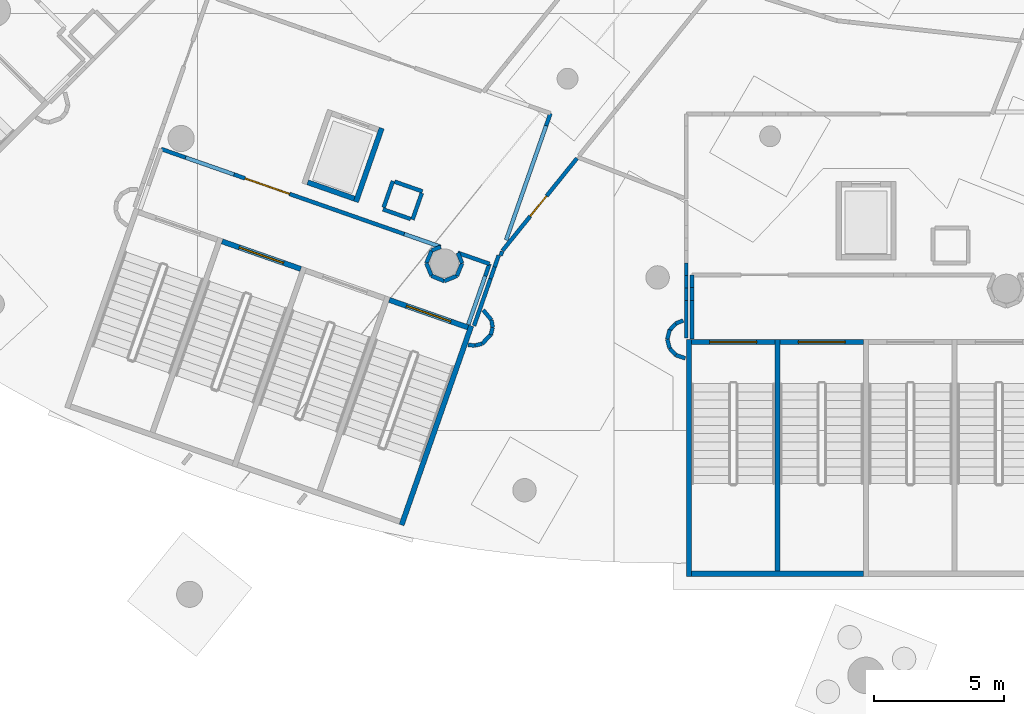
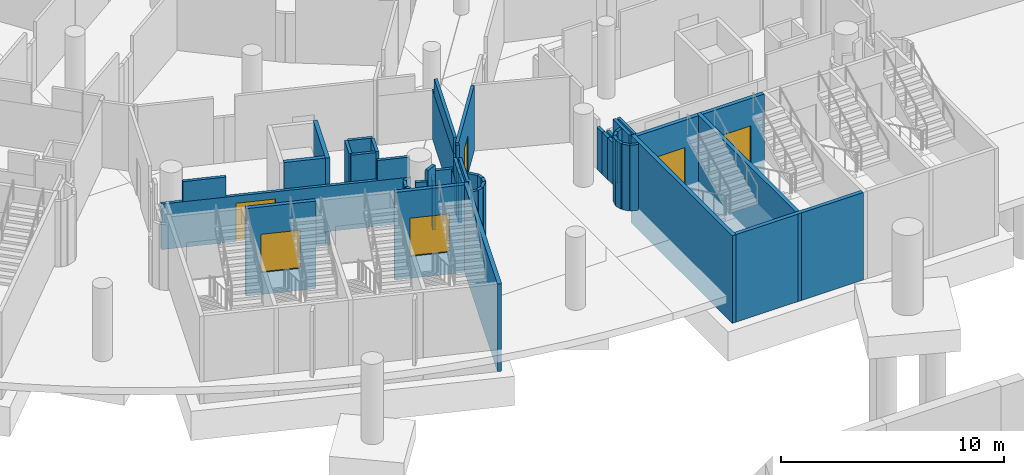
# One storey, part 38 of 142: 53 walls, 6 doors, 6 openings.
"""IFC4 building model written with IfcOpenShell, lengths in metres."""

from ifc_helpers import new_model, si_unit, direction, frame, frame_2d, origin, place, context, subcontext, project, spatial, rectangle, extrude, material, layer, layer_set, type_object, element, fill, save


model = new_model("IFC4")

# Units and contexts
model_context = context("Model", 3, precision=1e-05, world=origin(), true_north=direction((0.0, 1.0)))
body_context = subcontext(model_context, "Body", "Model", "MODEL_VIEW")
ifc_project = project(units=[si_unit("LENGTHUNIT", "METRE"), si_unit("AREAUNIT", "SQUARE_METRE"), si_unit("VOLUMEUNIT", "CUBIC_METRE"), si_unit("PLANEANGLEUNIT", "RADIAN"), si_unit("MASSUNIT", "GRAM", prefix="KILO")], contexts=[model_context])

# Site, building, storey
site_placement = place(None, origin())
site = spatial("IfcSite", under=ifc_project, at=site_placement, CompositionType="ELEMENT")
building_placement = place(site_placement, origin())
building = spatial("IfcBuilding", under=site, at=building_placement, Name="Meseta Stadium", CompositionType="ELEMENT")
storey_placement = place(building_placement, frame((0.0, 0.0, -4.0)))
storey = spatial("IfcBuildingStorey", under=building, at=storey_placement, Name="B1", CompositionType="ELEMENT", Elevation=-4.0)

# Walls
ifc_material_1 = material(Name="Concrete C40/50", Category="concrete")
ifc_layer_1 = layer(ifc_material_1, 0.199951171875)
ifc_layer_set_1 = layer_set([ifc_layer_1], Name="Core divider wall 200")
wall_type_1 = type_object("IfcWallType", Name="Core divider wall 200", PredefinedType="SHEAR", material=ifc_layer_set_1)
wall_1_placement = place(storey_placement, frame((-41.7333984375, -101.60009765625, -1.199951171875), z_axis=(0.0, 0.0, 1.0), x_axis=(0.0, 1.0, 0.0)))
element("IfcWall", 1, at=wall_1_placement, inside=storey, type_object=wall_type_1, Name="Core 23 B1 stair A divider wall", PredefinedType="SHEAR", context=body_context, shape_type="SweptSolid", body=[
    extrude(rectangle(XDim=9.10009765625, YDim=0.199951171875, at=frame_2d((4.550048828125, 0.0))), origin(), (0.0, 0.0, 1.0), 4.800048828125),
])
ifc_material_2 = material(Name="Concrete C40/50", Category="concrete")
ifc_layer_2 = layer(ifc_material_2, 0.199951171875)
ifc_layer_set_2 = layer_set([ifc_layer_2], Name="Core shaft wall 200")
wall_type_2 = type_object("IfcWallType", Name="Core shaft wall 200", PredefinedType="SHEAR", material=ifc_layer_set_2)
wall_2_placement = place(storey_placement, frame((-56.16162109375, -99.62890625, -1.199951171875), z_axis=(0.0, 0.0, 1.0), x_axis=(0.330280610426, 0.943882788474, 0.0)))
element("IfcWall", 2, at=wall_2_placement, inside=storey, type_object=wall_type_2, Name="Core 22 B1 stair wall B-side", PredefinedType="SHEAR", context=body_context, shape_type="SweptSolid", body=[
    extrude(rectangle(XDim=8.10009765625, YDim=0.199951171875, at=frame_2d((4.050048828125, 0.0))), origin(), (0.0, 0.0, 1.0), 4.800048828125),
])

# Wall, opening, door
wall_3_placement = place(storey_placement, frame((-63.052490234375, -88.741943359375, -1.199951171875), z_axis=(0.0, 0.0, 1.0), x_axis=(0.943878576031, -0.330292648585, 0.0)))
wall_3 = element("IfcWall", 3, at=wall_3_placement, inside=storey, type_object=wall_type_2, Name="Core 22 B1 stair A2 inner end wall", PredefinedType="SHEAR", context=body_context, shape_type="SweptSolid", body=[
    extrude(rectangle(XDim=3.199951171875, YDim=0.199951171875, at=frame_2d((1.60009765625, 0.0))), origin(), (0.0, 0.0, 1.0), 4.800048828125),
])
opening_1_placement = place(wall_3_placement, frame((0.699951171875, 0.0, 1.199951171875)))
opening_1 = element("IfcOpeningElement", 4, at=opening_1_placement, cuts=wall_3, Name="Opening D294", PredefinedType="OPENING", context=body_context, shape_type="SweptSolid", body=[
    extrude(rectangle(XDim=1.800048828125, YDim=2.10009765625, at=frame_2d((0.89990234375, 1.050048828125))), frame((0.0, 0.10986328125, 0.0), z_axis=(0.0, -1.0, 0.0), x_axis=(1.0, 0.0, 0.0)), (0.0, 0.0, 1.0), 0.219970703125),
])
ifc_material_3 = material(Name="Steel", Category="steel")
door_type_1 = type_object("IfcDoorType", Name="Stair door 1800x2100", OperationType="DOUBLE_DOOR_SINGLE_SWING", PredefinedType="DOOR", material=ifc_material_3)
door_1_placement = place(opening_1_placement, origin())
door_1 = element("IfcDoor", 5, at=door_1_placement, inside=storey, type_object=door_type_1, Name="Stair A2 door 22 B1", OperationType="DOUBLE_DOOR_SINGLE_SWING", OverallHeight=2.10009765625, OverallWidth=1.800048828125, PredefinedType="DOOR", context=body_context, shape_type="SweptSolid", body=[
    extrude(rectangle(XDim=1.800048828125, YDim=2.10009765625, at=frame_2d((0.89990234375, 1.050048828125))), frame((0.0, 0.02490234375, 0.0), z_axis=(0.0, -1.0, 0.0), x_axis=(1.0, 0.0, 0.0)), (0.0, 0.0, 1.0), 0.050048828125),
])
fill(opening_1, door_1)

wall_4_placement = place(storey_placement, frame((-56.63427734375, -90.98779296875, -1.199951171875), z_axis=(0.0, 0.0, 1.0), x_axis=(0.943886898693, -0.330268863922, 0.0)))
wall_4 = element("IfcWall", 6, at=wall_4_placement, inside=storey, type_object=wall_type_2, Name="Core 22 B1 stair B2 inner end wall", PredefinedType="SHEAR", context=body_context, shape_type="SweptSolid", body=[
    extrude(rectangle(XDim=3.2001953125, YDim=0.199951171875, at=frame_2d((1.60009765625, 0.0))), origin(), (0.0, 0.0, 1.0), 4.800048828125),
])
opening_2_placement = place(wall_4_placement, frame((0.699951171875, 0.0, 1.199951171875)))
opening_2 = element("IfcOpeningElement", 7, at=opening_2_placement, cuts=wall_4, Name="Opening D296", PredefinedType="OPENING", context=body_context, shape_type="SweptSolid", body=[
    extrude(rectangle(XDim=1.800048828125, YDim=2.10009765625, at=frame_2d((0.89990234375, 1.050048828125))), frame((0.0, 0.10986328125, 0.0), z_axis=(0.0, -1.0, 0.0), x_axis=(1.0, 0.0, 0.0)), (0.0, 0.0, 1.0), 0.219970703125),
])
door_2_placement = place(opening_2_placement, origin())
door_2 = element("IfcDoor", 8, at=door_2_placement, inside=storey, type_object=door_type_1, Name="Stair B2 door 22 B1", OperationType="DOUBLE_DOOR_SINGLE_SWING", OverallHeight=2.10009765625, OverallWidth=1.800048828125, PredefinedType="DOOR", context=body_context, shape_type="SweptSolid", body=[
    extrude(rectangle(XDim=1.800048828125, YDim=2.10009765625, at=frame_2d((0.89990234375, 1.050048828125))), frame((0.0, 0.02490234375, 0.0), z_axis=(0.0, -1.0, 0.0), x_axis=(1.0, 0.0, 0.0)), (0.0, 0.0, 1.0), 0.050048828125),
])
fill(opening_2, door_2)

# Walls
wall_5_placement = place(storey_placement, frame((-57.9140625, -87.227294921875, -1.199951171875), z_axis=(0.0, 0.0, 1.0), x_axis=(0.330328674497, 0.943865968666, 0.0)))
element("IfcWall", 9, at=wall_5_placement, inside=storey, type_object=wall_type_2, Name="Core 22 B1 lift shaft wall right", PredefinedType="SHEAR", context=body_context, shape_type="SweptSolid", body=[
    extrude(rectangle(XDim=3.0, YDim=0.199951171875, at=frame_2d((1.5, 0.0))), origin(), (0.0, 0.0, 1.0), 4.800048828125),
])
wall_6_placement = place(storey_placement, frame((-59.768798828125, -86.472412109375, -1.199951171875), z_axis=(0.0, 0.0, 1.0), x_axis=(0.943862362559, -0.330338978239, 0.0)))
element("IfcWall", 10, at=wall_6_placement, inside=storey, type_object=wall_type_2, Name="Core 22 B1 lift shaft back wall", PredefinedType="SHEAR", context=body_context, shape_type="SweptSolid", body=[
    extrude(rectangle(XDim=1.900146484375, YDim=0.199951171875, at=frame_2d((0.9501953125, 0.0))), origin(), (0.0, 0.0, 1.0), 4.800048828125),
])
wall_7_placement = place(storey_placement, frame((-45.13330078125, -101.60009765625, -1.199951171875), z_axis=(0.0, 0.0, 1.0), x_axis=(0.0, 1.0, 0.0)))
element("IfcWall", 11, at=wall_7_placement, inside=storey, type_object=wall_type_2, Name="Core 23 B1 stair wall A-side", PredefinedType="SHEAR", context=body_context, shape_type="SweptSolid", body=[
    extrude(rectangle(XDim=9.10009765625, YDim=0.199951171875, at=frame_2d((4.550048828125, 0.0))), origin(), (0.0, 0.0, 1.0), 4.800048828125),
])
wall_8_placement = place(storey_placement, frame((-45.033203125, -101.5, -1.199951171875), z_axis=(0.0, 0.0, 1.0), x_axis=(1.0, 0.0, 0.0)))
element("IfcWall", 12, at=wall_8_placement, inside=storey, type_object=wall_type_2, Name="Core 23 B1 stair A outer end wall", PredefinedType="SHEAR", context=body_context, shape_type="SweptSolid", body=[
    extrude(rectangle(XDim=6.599853515625, YDim=0.199951171875, at=frame_2d((3.2998046875, 0.0))), origin(), (0.0, 0.0, 1.0), 4.800048828125),
])

# Wall, opening, door
wall_9_placement = place(storey_placement, frame((-45.033203125, -92.60009765625, -1.199951171875), z_axis=(0.0, 0.0, 1.0), x_axis=(1.0, 0.0, 0.0)))
wall_9 = element("IfcWall", 13, at=wall_9_placement, inside=storey, type_object=wall_type_2, Name="Core 23 B1 stair A1 inner end wall", PredefinedType="SHEAR", context=body_context, shape_type="SweptSolid", body=[
    extrude(rectangle(XDim=3.199951171875, YDim=0.199951171875, at=frame_2d((1.60009765625, 0.0))), origin(), (0.0, 0.0, 1.0), 4.800048828125),
])
opening_3_placement = place(wall_9_placement, frame((0.699951171875, 0.0, 1.199951171875)))
opening_3 = element("IfcOpeningElement", 14, at=opening_3_placement, cuts=wall_9, Name="Opening D305", PredefinedType="OPENING", context=body_context, shape_type="SweptSolid", body=[
    extrude(rectangle(XDim=1.800048828125, YDim=2.10009765625, at=frame_2d((0.89990234375, 1.050048828125))), frame((0.0, 0.10986328125, 0.0), z_axis=(0.0, -1.0, 0.0), x_axis=(1.0, 0.0, 0.0)), (0.0, 0.0, 1.0), 0.219970703125),
])
door_3_placement = place(opening_3_placement, origin())
door_3 = element("IfcDoor", 15, at=door_3_placement, inside=storey, type_object=door_type_1, Name="Stair A1 door 23 B1", OperationType="DOUBLE_DOOR_SINGLE_SWING", OverallHeight=2.10009765625, OverallWidth=1.800048828125, PredefinedType="DOOR", context=body_context, shape_type="SweptSolid", body=[
    extrude(rectangle(XDim=1.800048828125, YDim=2.10009765625, at=frame_2d((0.89990234375, 1.050048828125))), frame((0.0, 0.02490234375, 0.0), z_axis=(0.0, -1.0, 0.0), x_axis=(1.0, 0.0, 0.0)), (0.0, 0.0, 1.0), 0.050048828125),
])
fill(opening_3, door_3)

wall_10_placement = place(storey_placement, frame((-41.63330078125, -92.60009765625, -1.199951171875), z_axis=(0.0, 0.0, 1.0), x_axis=(1.0, 0.0, 0.0)))
wall_10 = element("IfcWall", 16, at=wall_10_placement, inside=storey, type_object=wall_type_2, Name="Core 23 B1 stair A2 inner end wall", PredefinedType="SHEAR", context=body_context, shape_type="SweptSolid", body=[
    extrude(rectangle(XDim=3.199951171875, YDim=0.199951171875, at=frame_2d((1.60009765625, 0.0))), origin(), (0.0, 0.0, 1.0), 4.800048828125),
])
opening_4_placement = place(wall_10_placement, frame((0.699951171875, 0.0, 1.199951171875)))
opening_4 = element("IfcOpeningElement", 17, at=opening_4_placement, cuts=wall_10, Name="Opening D306", PredefinedType="OPENING", context=body_context, shape_type="SweptSolid", body=[
    extrude(rectangle(XDim=1.800048828125, YDim=2.10009765625, at=frame_2d((0.89990234375, 1.050048828125))), frame((0.0, 0.10986328125, 0.0), z_axis=(0.0, -1.0, 0.0), x_axis=(1.0, 0.0, 0.0)), (0.0, 0.0, 1.0), 0.219970703125),
])
door_4_placement = place(opening_4_placement, origin())
door_4 = element("IfcDoor", 18, at=door_4_placement, inside=storey, type_object=door_type_1, Name="Stair A2 door 23 B1", OperationType="DOUBLE_DOOR_SINGLE_SWING", OverallHeight=2.10009765625, OverallWidth=1.800048828125, PredefinedType="DOOR", context=body_context, shape_type="SweptSolid", body=[
    extrude(rectangle(XDim=1.800048828125, YDim=2.10009765625, at=frame_2d((0.89990234375, 1.050048828125))), frame((0.0, 0.02490234375, 0.0), z_axis=(0.0, -1.0, 0.0), x_axis=(1.0, 0.0, 0.0)), (0.0, 0.0, 1.0), 0.050048828125),
])
fill(opening_4, door_4)

# Walls
ifc_material_4 = material(Name="Masonry blockwork", Category="masonry")
ifc_layer_3 = layer(ifc_material_4, 0.14990234375)
ifc_layer_set_3 = layer_set([ifc_layer_3], Name="Partition 150")
wall_type_3 = type_object("IfcWallType", Name="Partition 150", PredefinedType="PARTITIONING", material=ifc_layer_set_3)
wall_11_placement = place(storey_placement, frame((-53.378662109375, -91.978759765625, 0.0), z_axis=(0.0, 0.0, 1.0), x_axis=(0.330190985446, 0.943914145, 0.0)))
element("IfcWall", 19, at=wall_11_placement, inside=storey, type_object=wall_type_3, Name="Partition B1 B1-cell21-3-0", PredefinedType="PARTITIONING", context=body_context, shape_type="SweptSolid", body=[
    extrude(rectangle(XDim=1.909912109375, YDim=0.14990234375, at=frame_2d((0.955078125, 0.0))), origin(), (0.0, 0.0, 1.0), 3.60009765625),
])
wall_12_placement = place(storey_placement, frame((-52.748046875, -90.176025390625, 0.0), z_axis=(0.0, 0.0, 1.0), x_axis=(0.330464354332, 0.943818473286, 0.0)))
element("IfcWall", 20, at=wall_12_placement, inside=storey, type_object=wall_type_3, Name="Partition B1 B1-cell21-3-0", PredefinedType="PARTITIONING", context=body_context, shape_type="SweptSolid", body=[
    extrude(rectangle(XDim=0.477294921875, YDim=0.14990234375, at=frame_2d((0.23876953125, 0.0))), origin(), (0.0, 0.0, 1.0), 2.699951171875),
])
wall_13_placement = place(storey_placement, frame((-52.59033203125, -89.7255859375, 0.0), z_axis=(0.0, 0.0, 1.0), x_axis=(0.330304873532, 0.943874298051, 0.0)))
element("IfcWall", 21, at=wall_13_placement, inside=storey, type_object=wall_type_3, Name="Partition B1 B1-cell21-3-0", PredefinedType="PARTITIONING", context=body_context, shape_type="SweptSolid", body=[
    extrude(rectangle(XDim=0.4775390625, YDim=0.14990234375, at=frame_2d((0.23876953125, 0.0))), origin(), (0.0, 0.0, 1.0), 2.699951171875),
])

# Wall, opening, door
wall_14_placement = place(storey_placement, frame((-52.29248046875, -89.10107421875, 0.0), z_axis=(0.0, 0.0, 1.0), x_axis=(0.628044288781, 0.778177596266, 0.0)))
wall_14 = element("IfcWall", 22, at=wall_14_placement, inside=storey, type_object=wall_type_3, Name="Partition B1 B1-cell21-3-0", PredefinedType="PARTITIONING", context=body_context, shape_type="SweptSolid", body=[
    extrude(rectangle(XDim=4.561279296875, YDim=0.14990234375, at=frame_2d((2.28076171875, 0.0))), origin(), (0.0, 0.0, 1.0), 3.60009765625),
])
opening_5_placement = place(wall_14_placement, frame((1.699951171875, 0.0, 0.0)))
opening_5 = element("IfcOpeningElement", 23, at=opening_5_placement, cuts=wall_14, Name="Opening D496", PredefinedType="OPENING", context=body_context, shape_type="SweptSolid", body=[
    extrude(rectangle(XDim=1.0, YDim=2.10009765625, at=frame_2d((0.5, 1.050048828125))), frame((0.0, 0.0849609375, 0.0), z_axis=(0.0, -1.0, 0.0), x_axis=(1.0, 0.0, 0.0)), (0.0, 0.0, 1.0), 0.169921875),
])
ifc_material_5 = material(Name="Steel", Category="steel")
door_type_2 = type_object("IfcDoorType", Name="Fire door 1000x2100 EI2 60", OperationType="NOTDEFINED", PredefinedType="DOOR", material=ifc_material_5)
door_5_placement = place(opening_5_placement, origin())
door_5 = element("IfcDoor", 24, at=door_5_placement, inside=storey, type_object=door_type_2, Name="Door D496", OperationType="SINGLE_SWING_LEFT", OverallHeight=2.10009765625, OverallWidth=1.0, PredefinedType="DOOR", context=body_context, shape_type="SweptSolid", body=[
    extrude(rectangle(XDim=1.0, YDim=2.10009765625, at=frame_2d((0.5, 1.050048828125))), frame((0.0, 0.02490234375, 0.0), z_axis=(0.0, -1.0, 0.0), x_axis=(1.0, 0.0, 0.0)), (0.0, 0.0, 1.0), 0.050048828125),
])
fill(opening_5, door_5)

# Walls
for number, where, z_axis, x_axis, name in (
    (25, (-45.2333984375, -89.5712890625, 0.0), (0.0, 0.0, 1.0), (0.0, -1.0, 0.0), "Partition B1 B1-cell21-3-0"),
    (26, (-45.2333984375, -90.052734375, 0.0), (0.0, 0.0, 1.0), (0.0, -1.0, 0.0), "Partition B1 B1-cell21-3-0"),
    (27, (-45.2333984375, -90.5341796875, 0.0), (0.0, 0.0, 1.0), (0.0, -1.0, 0.0), "Partition B1 B1-cell21-3-0"),
):
    element("IfcWall", number, at=place(storey_placement, frame(where, z_axis=z_axis, x_axis=x_axis)), inside=storey, type_object=wall_type_3, Name=name, PredefinedType="PARTITIONING", context=body_context, shape_type="SweptSolid", body=[
        extrude(rectangle(XDim=0.4814453125, YDim=0.14990234375, at=frame_2d((0.24072265625, 0.0))), origin(), (0.0, 0.0, 1.0), 2.300048828125),
    ])
wall_15_placement = place(storey_placement, frame((-45.2333984375, -91.015625, 0.0), z_axis=(0.0, 0.0, 1.0), x_axis=(0.0, -1.0, 0.0)))
element("IfcWall", 28, at=wall_15_placement, inside=storey, type_object=wall_type_3, Name="Partition B1 B1-cell21-3-0", PredefinedType="PARTITIONING", context=body_context, shape_type="SweptSolid", body=[
    extrude(rectangle(XDim=1.4443359375, YDim=0.14990234375, at=frame_2d((0.72216796875, 0.0))), origin(), (0.0, 0.0, 1.0), 3.60009765625),
])
wall_16_placement = place(storey_placement, frame((-56.87451171875, -87.51171875, 0.0), z_axis=(0.0, 0.0, 1.0), x_axis=(0.943868506598, -0.330321422636, 0.0)))
element("IfcWall", 29, at=wall_16_placement, inside=storey, type_object=wall_type_3, Name="Pressurisation shaft wall B1 core 22", PredefinedType="PARTITIONING", context=body_context, shape_type="SweptSolid", body=[
    extrude(rectangle(XDim=1.125, YDim=0.14990234375, at=frame_2d((0.5625, 0.0))), origin(), (0.0, 0.0, 1.0), 3.60009765625),
])
wall_17_placement = place(storey_placement, frame((-55.741943359375, -87.907958984375, 0.0), z_axis=(0.0, 0.0, 1.0), x_axis=(0.330229022821, 0.94390083827, 0.0)))
element("IfcWall", 30, at=wall_17_placement, inside=storey, type_object=wall_type_3, Name="Pressurisation shaft wall B1 core 22", PredefinedType="PARTITIONING", context=body_context, shape_type="SweptSolid", body=[
    extrude(rectangle(XDim=1.074951171875, YDim=0.14990234375, at=frame_2d((0.53759765625, 0.0))), origin(), (0.0, 0.0, 1.0), 3.60009765625),
])
wall_18_placement = place(storey_placement, frame((-55.362060546875, -86.822509765625, 0.0), z_axis=(0.0, 0.0, 1.0), x_axis=(-0.94389218008, 0.330253769674, 0.0)))
element("IfcWall", 31, at=wall_18_placement, inside=storey, type_object=wall_type_3, Name="Pressurisation shaft wall B1 core 22", PredefinedType="PARTITIONING", context=body_context, shape_type="SweptSolid", body=[
    extrude(rectangle(XDim=1.125244140625, YDim=0.14990234375, at=frame_2d((0.5625, 0.0))), origin(), (0.0, 0.0, 1.0), 3.60009765625),
])
wall_19_placement = place(storey_placement, frame((-56.49462890625, -86.42626953125, 0.0), z_axis=(0.0, 0.0, 1.0), x_axis=(-0.330431350225, -0.943830028548, 0.0)))
element("IfcWall", 32, at=wall_19_placement, inside=storey, type_object=wall_type_3, Name="Pressurisation shaft wall B1 core 22", PredefinedType="PARTITIONING", context=body_context, shape_type="SweptSolid", body=[
    extrude(rectangle(XDim=1.074951171875, YDim=0.14990234375, at=frame_2d((0.53759765625, 0.0))), origin(), (0.0, 0.0, 1.0), 3.60009765625),
])
wall_20_placement = place(storey_placement, frame((-53.60107421875, -91.9326171875, 0.0), z_axis=(0.0, 0.0, 1.0), x_axis=(0.330306307498, 0.943873796239, 0.0)))
element("IfcWall", 33, at=wall_20_placement, inside=storey, type_object=wall_type_3, Name="Stair vestibule wall B1 core 22", PredefinedType="PARTITIONING", context=body_context, shape_type="SweptSolid", body=[
    extrude(rectangle(XDim=2.465087890625, YDim=0.14990234375, at=frame_2d((1.232421875, 0.0))), origin(), (0.0, 0.0, 1.0), 2.699951171875),
])
wall_21_placement = place(storey_placement, frame((-53.60107421875, -91.9326171875, 2.699951171875), z_axis=(0.0, 0.0, 1.0), x_axis=(0.330306307498, 0.943873796239, 0.0)))
element("IfcWall", 34, at=wall_21_placement, inside=storey, type_object=wall_type_3, Name="Stair vestibule wall B1 core 22", PredefinedType="PARTITIONING", context=body_context, shape_type="SweptSolid", body=[
    extrude(rectangle(XDim=1.971923828125, YDim=0.14990234375, at=frame_2d((0.98583984375, 0.0))), origin(), (0.0, 0.0, 1.0), 0.900146484375),
])
wall_22_placement = place(storey_placement, frame((-52.786865234375, -89.60595703125, 0.0), z_axis=(0.0, 0.0, 1.0), x_axis=(-0.943893838446, 0.33024902989, 0.0)))
element("IfcWall", 35, at=wall_22_placement, inside=storey, type_object=wall_type_3, Name="Stair vestibule wall B1 core 22", PredefinedType="PARTITIONING", context=body_context, shape_type="SweptSolid", body=[
    extrude(rectangle(XDim=1.287109375, YDim=0.14990234375, at=frame_2d((0.6435546875, 0.0))), origin(), (0.0, 0.0, 1.0), 2.699951171875),
])
wall_23_placement = place(storey_placement, frame((-54.001708984375, -89.180908203125, 0.0), z_axis=(0.0, 0.0, 1.0), x_axis=(0.38220175248, -0.924078903774, 0.0)))
element("IfcWall", 36, at=wall_23_placement, inside=storey, type_object=wall_type_3, Name="Stair vestibule wall B1 core 22", PredefinedType="PARTITIONING", context=body_context, shape_type="SweptSolid", body=[
    extrude(rectangle(XDim=0.43115234375, YDim=0.14990234375, at=frame_2d((0.215576171875, 0.0))), origin(), (0.0, 0.0, 1.0), 2.699951171875),
])
wall_24_placement = place(storey_placement, frame((-53.8369140625, -89.579345703125, 0.0), z_axis=(0.0, 0.0, 1.0), x_axis=(-0.382269640564, -0.924050822143, 0.0)))
element("IfcWall", 37, at=wall_24_placement, inside=storey, type_object=wall_type_3, Name="Stair vestibule wall B1 core 22", PredefinedType="PARTITIONING", context=body_context, shape_type="SweptSolid", body=[
    extrude(rectangle(XDim=0.52490234375, YDim=0.14990234375, at=frame_2d((0.262451171875, 0.0))), origin(), (0.0, 0.0, 1.0), 2.699951171875),
])
wall_25_placement = place(storey_placement, frame((-54.03759765625, -90.064453125, 0.0), z_axis=(0.0, 0.0, 1.0), x_axis=(-0.923926306398, -0.382570490689, 0.0)))
element("IfcWall", 38, at=wall_25_placement, inside=storey, type_object=wall_type_3, Name="Stair vestibule wall B1 core 22", PredefinedType="PARTITIONING", context=body_context, shape_type="SweptSolid", body=[
    extrude(rectangle(XDim=0.52587890625, YDim=0.14990234375, at=frame_2d((0.262939453125, 0.0))), origin(), (0.0, 0.0, 1.0), 3.60009765625),
])
wall_26_placement = place(storey_placement, frame((-54.5234375, -90.265625, 0.0), z_axis=(0.0, 0.0, 1.0), x_axis=(-0.923886494024, 0.382666625355, 0.0)))
element("IfcWall", 39, at=wall_26_placement, inside=storey, type_object=wall_type_3, Name="Stair vestibule wall B1 core 22", PredefinedType="PARTITIONING", context=body_context, shape_type="SweptSolid", body=[
    extrude(rectangle(XDim=0.525146484375, YDim=0.14990234375, at=frame_2d((0.2626953125, 0.0))), origin(), (0.0, 0.0, 1.0), 3.0),
])
wall_27_placement = place(storey_placement, frame((-55.008544921875, -90.064697265625, 0.0), z_axis=(0.0, 0.0, 1.0), x_axis=(-0.3830633983, 0.923722053911, 0.0)))
element("IfcWall", 40, at=wall_27_placement, inside=storey, type_object=wall_type_3, Name="Stair vestibule wall B1 core 22", PredefinedType="PARTITIONING", context=body_context, shape_type="SweptSolid", body=[
    extrude(rectangle(XDim=0.525146484375, YDim=0.14990234375, at=frame_2d((0.2626953125, 0.0))), origin(), (0.0, 0.0, 1.0), 2.5),
])
wall_28_placement = place(storey_placement, frame((-55.209716796875, -89.57958984375, 0.0), z_axis=(0.0, 0.0, 1.0), x_axis=(0.382338115096, 0.924022492012, 0.0)))
element("IfcWall", 41, at=wall_28_placement, inside=storey, type_object=wall_type_3, Name="Stair vestibule wall B1 core 22", PredefinedType="PARTITIONING", context=body_context, shape_type="SweptSolid", body=[
    extrude(rectangle(XDim=0.525634765625, YDim=0.14990234375, at=frame_2d((0.2626953125, 0.0))), origin(), (0.0, 0.0, 1.0), 2.5),
])
wall_29_placement = place(storey_placement, frame((-55.0087890625, -89.093994140625, 0.0), z_axis=(0.0, 0.0, 1.0), x_axis=(0.923652404935, 0.383231307252, 0.0)))
element("IfcWall", 42, at=wall_29_placement, inside=storey, type_object=wall_type_3, Name="Stair vestibule wall B1 core 22", PredefinedType="PARTITIONING", context=body_context, shape_type="SweptSolid", body=[
    extrude(rectangle(XDim=0.3759765625, YDim=0.14990234375, at=frame_2d((0.18798828125, 0.0))), origin(), (0.0, 0.0, 1.0), 2.5),
])

# Wall, opening, door
wall_30_placement = place(storey_placement, frame((-54.66162109375, -88.949951171875, 0.0), z_axis=(0.0, 0.0, 1.0), x_axis=(-0.943884478902, 0.330275779445, 0.0)))
wall_30 = element("IfcWall", 43, at=wall_30_placement, inside=storey, type_object=wall_type_3, Name="Stair vestibule wall B1 core 22", PredefinedType="PARTITIONING", context=body_context, shape_type="SweptSolid", body=[
    extrude(rectangle(XDim=11.36376953125, YDim=0.14990234375, at=frame_2d((5.681884765625, 0.0))), origin(), (0.0, 0.0, 1.0), 2.5),
])
opening_6_placement = place(wall_30_placement, frame((6.14990234375, 0.0, 0.0)))
opening_6 = element("IfcOpeningElement", 44, at=opening_6_placement, cuts=wall_30, Name="Opening D736", PredefinedType="OPENING", context=body_context, shape_type="SweptSolid", body=[
    extrude(rectangle(XDim=1.800048828125, YDim=2.10009765625, at=frame_2d((0.89990234375, 1.050048828125))), frame((0.0, 0.0849609375, 0.0), z_axis=(0.0, -1.0, 0.0), x_axis=(1.0, 0.0, 0.0)), (0.0, 0.0, 1.0), 0.169921875),
])
ifc_material_6 = material(Name="Steel", Category="steel")
door_type_3 = type_object("IfcDoorType", Name="Fire double door 1800x2100 EI2 60", OperationType="DOUBLE_DOOR_SINGLE_SWING", PredefinedType="DOOR", material=ifc_material_6)
door_6_placement = place(opening_6_placement, origin())
door_6 = element("IfcDoor", 45, at=door_6_placement, inside=storey, type_object=door_type_3, Name="Stair vestibule door B1 core 22", OperationType="DOUBLE_DOOR_SINGLE_SWING", OverallHeight=2.10009765625, OverallWidth=1.800048828125, PredefinedType="DOOR", context=body_context, shape_type="SweptSolid", body=[
    extrude(rectangle(XDim=1.800048828125, YDim=2.10009765625, at=frame_2d((0.89990234375, 1.050048828125))), frame((0.0, 0.02490234375, 0.0), z_axis=(0.0, -1.0, 0.0), x_axis=(1.0, 0.0, 0.0)), (0.0, 0.0, 1.0), 0.050048828125),
])
fill(opening_6, door_6)

# Walls
wall_31_placement = place(storey_placement, frame((-54.66162109375, -88.949951171875, 2.5), z_axis=(0.0, 0.0, 1.0), x_axis=(-0.94390199942, 0.330225703863, 0.0)))
element("IfcWall", 46, at=wall_31_placement, inside=storey, type_object=wall_type_3, Name="Stair vestibule wall B1 core 22", PredefinedType="PARTITIONING", context=body_context, shape_type="SweptSolid", body=[
    extrude(rectangle(XDim=1.482421875, YDim=0.14990234375, at=frame_2d((0.7412109375, 0.0))), origin(), (0.0, 0.0, 1.0), 1.10009765625),
])
wall_32_placement = place(storey_placement, frame((-62.589599609375, -86.17578125, 2.5), z_axis=(0.0, 0.0, 1.0), x_axis=(-0.943910343795, 0.330201851716, 0.0)))
element("IfcWall", 47, at=wall_32_placement, inside=storey, type_object=wall_type_3, Name="Stair vestibule wall B1 core 22", PredefinedType="PARTITIONING", context=body_context, shape_type="SweptSolid", body=[
    extrude(rectangle(XDim=1.976318359375, YDim=0.14990234375, at=frame_2d((0.98828125, 0.0))), origin(), (0.0, 0.0, 1.0), 1.10009765625),
])
wall_33_placement = place(storey_placement, frame((-53.606201171875, -92.714599609375, 0.0), z_axis=(0.0, 0.0, 1.0), x_axis=(0.99455723192, -0.104191710011, 0.0)))
element("IfcWall", 48, at=wall_33_placement, inside=storey, type_object=wall_type_3, Name="Stair vestibule wall B1 core 22", PredefinedType="PARTITIONING", context=body_context, shape_type="SweptSolid", body=[
    extrude(rectangle(XDim=0.2578125, YDim=0.14990234375, at=frame_2d((0.12890625, 0.0))), origin(), (0.0, 0.0, 1.0), 3.60009765625),
])
wall_34_placement = place(storey_placement, frame((-53.349853515625, -92.741455078125, 0.0), z_axis=(0.0, 0.0, 1.0), x_axis=(0.968217741574, 0.250108786133, 0.0)))
element("IfcWall", 49, at=wall_34_placement, inside=storey, type_object=wall_type_3, Name="Stair vestibule wall B1 core 22", PredefinedType="PARTITIONING", context=body_context, shape_type="SweptSolid", body=[
    extrude(rectangle(XDim=0.287841796875, YDim=0.14990234375, at=frame_2d((0.14404296875, 0.0))), origin(), (0.0, 0.0, 1.0), 3.60009765625),
])
wall_35_placement = place(storey_placement, frame((-53.071044921875, -92.66943359375, 0.0), z_axis=(0.0, 0.0, 1.0), x_axis=(0.701994133163, 0.712182727258, 0.0)))
element("IfcWall", 50, at=wall_35_placement, inside=storey, type_object=wall_type_3, Name="Stair vestibule wall B1 core 22", PredefinedType="PARTITIONING", context=body_context, shape_type="SweptSolid", body=[
    extrude(rectangle(XDim=0.479248046875, YDim=0.14990234375, at=frame_2d((0.23974609375, 0.0))), origin(), (0.0, 0.0, 1.0), 3.60009765625),
])
wall_36_placement = place(storey_placement, frame((-52.734619140625, -92.328125, 0.0), z_axis=(0.0, 0.0, 1.0), x_axis=(0.237169904652, 0.971468185957, 0.0)))
element("IfcWall", 51, at=wall_36_placement, inside=storey, type_object=wall_type_3, Name="Stair vestibule wall B1 core 22", PredefinedType="PARTITIONING", context=body_context, shape_type="SweptSolid", body=[
    extrude(rectangle(XDim=0.289306640625, YDim=0.14990234375, at=frame_2d((0.14453125, 0.0))), origin(), (0.0, 0.0, 1.0), 3.60009765625),
])
wall_37_placement = place(storey_placement, frame((-52.666015625, -92.047119140625, 0.0), z_axis=(0.0, 0.0, 1.0), x_axis=(-0.153450889183, 0.988156275398, 0.0)))
element("IfcWall", 52, at=wall_37_placement, inside=storey, type_object=wall_type_3, Name="Stair vestibule wall B1 core 22", PredefinedType="PARTITIONING", context=body_context, shape_type="SweptSolid", body=[
    extrude(rectangle(XDim=0.28955078125, YDim=0.14990234375, at=frame_2d((0.144775390625, 0.0))), origin(), (0.0, 0.0, 1.0), 3.60009765625),
])
wall_38_placement = place(storey_placement, frame((-52.71044921875, -91.760986328125, 0.0), z_axis=(0.0, 0.0, 1.0), x_axis=(-0.641382989258, 0.767220868519, 0.0)))
element("IfcWall", 53, at=wall_38_placement, inside=storey, type_object=wall_type_3, Name="Stair vestibule wall B1 core 22", PredefinedType="PARTITIONING", context=body_context, shape_type="SweptSolid", body=[
    extrude(rectangle(XDim=0.50048828125, YDim=0.14990234375, at=frame_2d((0.250244140625, 0.0))), origin(), (0.0, 0.0, 1.0), 3.60009765625),
])
wall_39_placement = place(storey_placement, frame((-52.3583984375, -89.290283203125, 0.0), z_axis=(0.0, 0.0, 1.0), x_axis=(0.329226922138, 0.944250832004, 0.0)))
element("IfcWall", 54, at=wall_39_placement, inside=storey, type_object=wall_type_3, Name="Stair vestibule wall B1 core 22", PredefinedType="PARTITIONING", context=body_context, shape_type="SweptSolid", body=[
    extrude(rectangle(XDim=0.17431640625, YDim=0.14990234375, at=frame_2d((0.087158203125, 0.0))), origin(), (0.0, 0.0, 1.0), 3.60009765625),
])
wall_40_placement = place(storey_placement, frame((-52.148681640625, -88.6904296875, 0.0), z_axis=(0.0, 0.0, 1.0), x_axis=(0.330310316835, 0.943872393172, 0.0)))
element("IfcWall", 55, at=wall_40_placement, inside=storey, type_object=wall_type_3, Name="Stair vestibule wall B1 core 22", PredefinedType="PARTITIONING", context=body_context, shape_type="SweptSolid", body=[
    extrude(rectangle(XDim=5.151611328125, YDim=0.14990234375, at=frame_2d((2.57568359375, 0.0))), origin(), (0.0, 0.0, 1.0), 2.699951171875),
])
wall_41_placement = place(storey_placement, frame((-52.148681640625, -88.6904296875, 2.699951171875), z_axis=(0.0, 0.0, 1.0), x_axis=(0.330306037841, 0.943873890605, 0.0)))
element("IfcWall", 56, at=wall_41_placement, inside=storey, type_object=wall_type_3, Name="Stair vestibule wall B1 core 22", PredefinedType="PARTITIONING", context=body_context, shape_type="SweptSolid", body=[
    extrude(rectangle(XDim=4.655029296875, YDim=0.14990234375, at=frame_2d((2.32763671875, 0.0))), origin(), (0.0, 0.0, 1.0), 0.900146484375),
])
wall_42_placement = place(storey_placement, frame((-45.00830078125, -90.02490234375, 0.0), z_axis=(0.0, 0.0, 1.0), x_axis=(0.0, -1.0, 0.0)))
element("IfcWall", 57, at=wall_42_placement, inside=storey, type_object=wall_type_3, Name="Stair vestibule wall B1 core 23", PredefinedType="PARTITIONING", context=body_context, shape_type="SweptSolid", body=[
    extrude(rectangle(XDim=0.4931640625, YDim=0.14990234375, at=frame_2d((0.24658203125, 0.0))), origin(), (0.0, 0.0, 1.0), 2.300048828125),
])
wall_43_placement = place(storey_placement, frame((-45.00830078125, -90.51806640625, 0.0), z_axis=(0.0, 0.0, 1.0), x_axis=(0.0, -1.0, 0.0)))
element("IfcWall", 58, at=wall_43_placement, inside=storey, type_object=wall_type_3, Name="Stair vestibule wall B1 core 23", PredefinedType="PARTITIONING", context=body_context, shape_type="SweptSolid", body=[
    extrude(rectangle(XDim=0.492919921875, YDim=0.14990234375, at=frame_2d((0.24658203125, 0.0))), origin(), (0.0, 0.0, 1.0), 2.300048828125),
])
wall_44_placement = place(storey_placement, frame((-45.00830078125, -91.010986328125, 0.0), z_axis=(0.0, 0.0, 1.0), x_axis=(0.0, -1.0, 0.0)))
element("IfcWall", 59, at=wall_44_placement, inside=storey, type_object=wall_type_3, Name="Stair vestibule wall B1 core 23", PredefinedType="PARTITIONING", context=body_context, shape_type="SweptSolid", body=[
    extrude(rectangle(XDim=1.47900390625, YDim=0.14990234375, at=frame_2d((0.739501953125, 0.0))), origin(), (0.0, 0.0, 1.0), 3.60009765625),
])
wall_45_placement = place(storey_placement, frame((-45.86962890625, -92.13671875, 0.0), z_axis=(0.0, 0.0, 1.0), x_axis=(-0.243149105267, -0.969988923961, 0.0)))
element("IfcWall", 60, at=wall_45_placement, inside=storey, type_object=wall_type_3, Name="Stair vestibule wall B1 core 23", PredefinedType="PARTITIONING", context=body_context, shape_type="SweptSolid", body=[
    extrude(rectangle(XDim=0.37451171875, YDim=0.14990234375, at=frame_2d((0.187255859375, 0.0))), origin(), (0.0, 0.0, 1.0), 3.60009765625),
])
wall_46_placement = place(storey_placement, frame((-45.960693359375, -92.5, 0.0), z_axis=(0.0, 0.0, 1.0), x_axis=(0.243185799972, -0.969979724887, 0.0)))
element("IfcWall", 61, at=wall_46_placement, inside=storey, type_object=wall_type_3, Name="Stair vestibule wall B1 core 23", PredefinedType="PARTITIONING", context=body_context, shape_type="SweptSolid", body=[
    extrude(rectangle(XDim=0.353271484375, YDim=0.14990234375, at=frame_2d((0.1767578125, 0.0))), origin(), (0.0, 0.0, 1.0), 3.60009765625),
])
wall_47_placement = place(storey_placement, frame((-45.874755859375, -92.8427734375, 0.0), z_axis=(0.0, 0.0, 1.0), x_axis=(0.671779735796, -0.740750961237, 0.0)))
element("IfcWall", 62, at=wall_47_placement, inside=storey, type_object=wall_type_3, Name="Stair vestibule wall B1 core 23", PredefinedType="PARTITIONING", context=body_context, shape_type="SweptSolid", body=[
    extrude(rectangle(XDim=0.35400390625, YDim=0.14990234375, at=frame_2d((0.177001953125, 0.0))), origin(), (0.0, 0.0, 1.0), 3.60009765625),
])
wall_48_placement = place(storey_placement, frame((-45.636962890625, -93.10498046875, 0.0), z_axis=(0.0, 0.0, 1.0), x_axis=(0.945426446164, -0.325835594885, 0.0)))
element("IfcWall", 63, at=wall_48_placement, inside=storey, type_object=wall_type_3, Name="Stair vestibule wall B1 core 23", PredefinedType="PARTITIONING", context=body_context, shape_type="SweptSolid", body=[
    extrude(rectangle(XDim=0.38818359375, YDim=0.14990234375, at=frame_2d((0.194091796875, 0.0))), origin(), (0.0, 0.0, 1.0), 3.60009765625),
])
wall_49_placement = place(storey_placement, frame((-45.349853515625, -91.777587890625, 0.0), z_axis=(0.0, 0.0, 1.0), x_axis=(-0.924710471816, -0.380671174788, 0.0)))
element("IfcWall", 64, at=wall_49_placement, inside=storey, type_object=wall_type_3, Name="Stair vestibule wall B1 core 23", PredefinedType="PARTITIONING", context=body_context, shape_type="SweptSolid", body=[
    extrude(rectangle(XDim=0.312255859375, YDim=0.14990234375, at=frame_2d((0.15625, 0.0))), origin(), (0.0, 0.0, 1.0), 3.60009765625),
])
wall_50_placement = place(storey_placement, frame((-45.638671875, -91.896484375, 0.0), z_axis=(0.0, 0.0, 1.0), x_axis=(-0.671204763042, -0.741271991964, 0.0)))
element("IfcWall", 65, at=wall_50_placement, inside=storey, type_object=wall_type_3, Name="Stair vestibule wall B1 core 23", PredefinedType="PARTITIONING", context=body_context, shape_type="SweptSolid", body=[
    extrude(rectangle(XDim=0.372802734375, YDim=0.14990234375, at=frame_2d((0.1865234375, 0.0))), origin(), (0.0, 0.0, 1.0), 3.60009765625),
])

save(model, "model.ifc")
